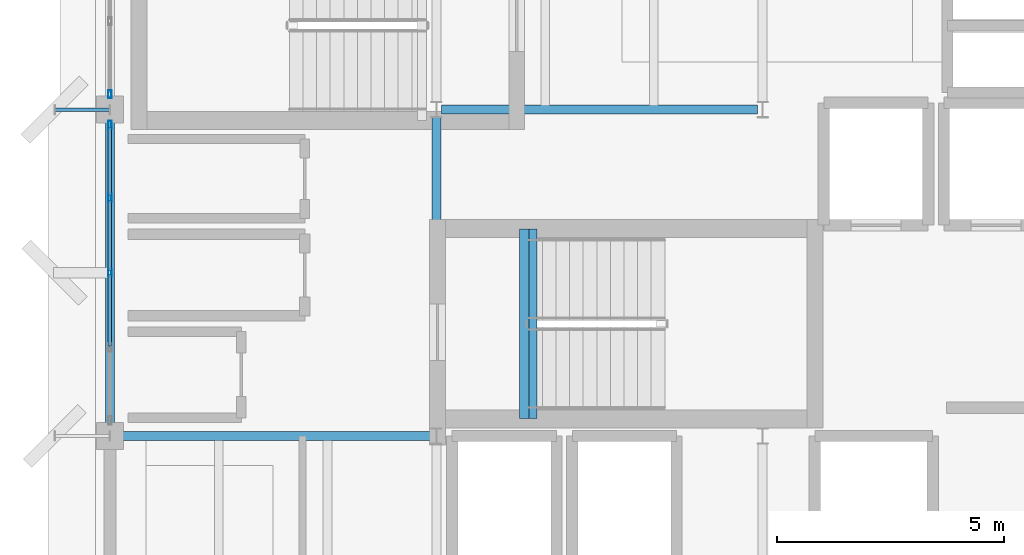
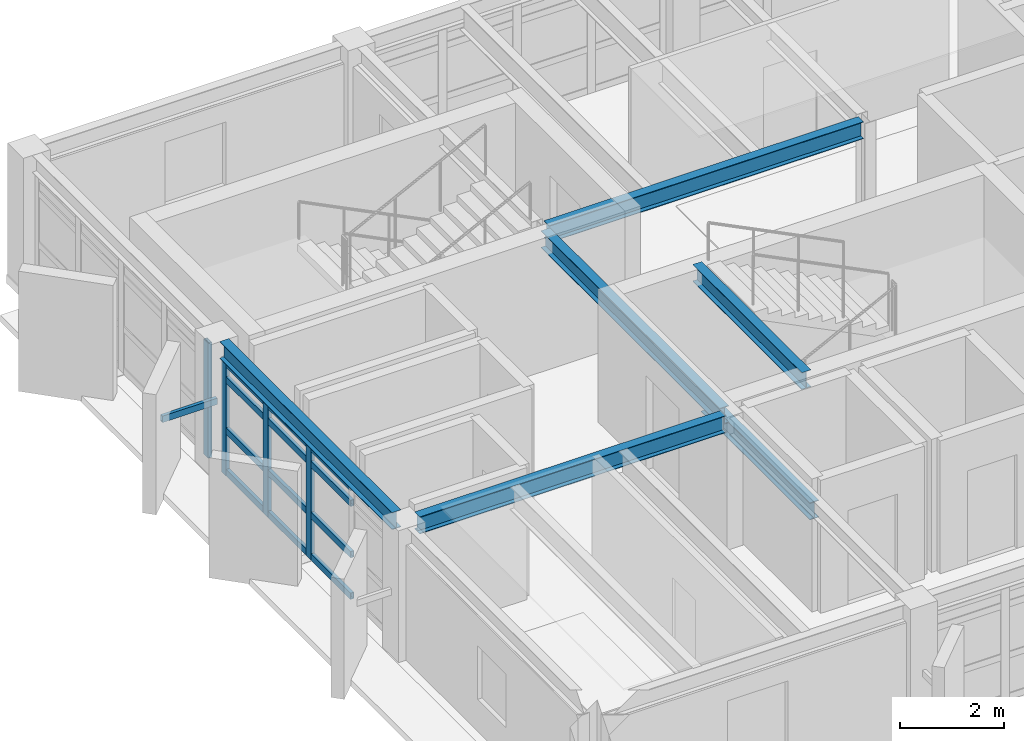
# One storey, part 4 of 15: 17 members, 6 beams, 2 elements without a shape of their own.
"""IFC4 building model written with IfcOpenShell, lengths in metres."""

from ifc_helpers import new_model, si_unit, direction, frame, origin, origin_2d, place, context, subcontext, project, spatial, hollow_rectangle, i_section, extrude, material, layer, layer_set, material_profile, profile_set, type_object, element, aggregate, save


model = new_model("IFC4")

# Units and contexts
model_context = context("Model", 3, precision=1e-05, world=origin(), true_north=direction((0.0, 1.0)))
body_context = subcontext(model_context, "Body", "Model", "MODEL_VIEW")
ifc_project = project(units=[si_unit("LENGTHUNIT", "METRE"), si_unit("AREAUNIT", "SQUARE_METRE"), si_unit("VOLUMEUNIT", "CUBIC_METRE"), si_unit("PLANEANGLEUNIT", "RADIAN"), si_unit("MASSUNIT", "GRAM", prefix="KILO")], contexts=[model_context])

# Site, building, storey
site_placement = place(None, origin())
site = spatial("IfcSite", under=ifc_project, at=site_placement, CompositionType="ELEMENT")
building_placement = place(site_placement, origin())
building = spatial("IfcBuilding", under=site, at=building_placement, Name="Kandorven Conservatory and Botanical Research Centre", CompositionType="ELEMENT")
storey_placement = place(building_placement, frame((0.0, 0.0, 56.10009765625)))
storey = spatial("IfcBuildingStorey", under=building, at=storey_placement, Name="L14", CompositionType="ELEMENT", Elevation=56.10009765625)

# Beams
ifc_material_1 = material(Name="Steel S355 (IS 2062 E350)", Category="steel")
ifc_material_profile_1 = material_profile(ifc_material_1, i_section(OverallWidth=0.199951171875, OverallDepth=0.39990234375, WebThickness=0.008544921875, FlangeThickness=0.012939453125, at=origin_2d()))
ifc_profile_set_1 = profile_set([ifc_material_profile_1], Name="Steel S355 (IS 2062 E350)")
beam_type = type_object("IfcBeamType", Name="Beam_FG-03", PredefinedType="USERDEFINED", material=ifc_profile_set_1)
beam_1_placement = place(storey_placement, frame((6.2900390625, 13.199951171875, 2.887939453125), z_axis=(1.0, 0.0, 0.0), x_axis=(0.0, 1.0, 0.0)))
element("IfcBeam", 1, at=beam_1_placement, inside=storey, type_object=beam_type, Name="Primary girder FG-03 TWR L14", ObjectType="GIRDER", PredefinedType="USERDEFINED", context=body_context, shape_type="SweptSolid", body=[
    extrude(i_section(OverallWidth=0.199951171875, OverallDepth=0.39990234375, WebThickness=0.008544921875, FlangeThickness=0.012939453125, at=origin_2d()), origin(), (0.0, 0.0, 1.0), 6.794921875),
])
beam_2_placement = place(storey_placement, frame((13.31494140625, 20.39990234375, 2.887939453125), z_axis=(1.0, 0.0, 0.0), x_axis=(0.0, 1.0, 0.0)))
element("IfcBeam", 2, at=beam_2_placement, inside=storey, type_object=beam_type, Name="Primary girder FG-03 TWR L14", ObjectType="GIRDER", PredefinedType="USERDEFINED", context=body_context, shape_type="SweptSolid", body=[
    extrude(i_section(OverallWidth=0.199951171875, OverallDepth=0.39990234375, WebThickness=0.008544921875, FlangeThickness=0.012939453125, at=origin_2d()), origin(), (0.0, 0.0, 1.0), 6.969970703125),
])
beam_3_placement = place(storey_placement, frame((6.0, 13.489990234375, 2.887939453125), z_axis=(0.0, 1.0, 0.0), x_axis=(-1.0, 0.0, 0.0)))
element("IfcBeam", 3, at=beam_3_placement, inside=storey, type_object=beam_type, Name="Primary girder FG-03 TWR L14", ObjectType="GIRDER", PredefinedType="USERDEFINED", context=body_context, shape_type="SweptSolid", body=[
    extrude(i_section(OverallWidth=0.199951171875, OverallDepth=0.39990234375, WebThickness=0.008544921875, FlangeThickness=0.012939453125, at=origin_2d()), origin(), (0.0, 0.0, 1.0), 6.6201171875),
])
beam_4_placement = place(storey_placement, frame((13.199951171875, 13.364990234375, 2.887939453125), z_axis=(0.0, 1.0, 0.0), x_axis=(-1.0, 0.0, 0.0)))
element("IfcBeam", 4, at=beam_4_placement, inside=storey, type_object=beam_type, Name="Primary girder FG-03 TWR L14", ObjectType="GIRDER", PredefinedType="USERDEFINED", context=body_context, shape_type="SweptSolid", body=[
    extrude(i_section(OverallWidth=0.199951171875, OverallDepth=0.39990234375, WebThickness=0.008544921875, FlangeThickness=0.012939453125, at=origin_2d()), origin(), (0.0, 0.0, 1.0), 6.8701171875),
])
for number, where, z_axis, x_axis, name in (
    (5, (15.320068359375, 13.580078125, -0.2001953125), (0.0, 1.0, 0.0), (-1.0, 0.0, 0.0), "Stair well bottom trimmer girder FG-03 ST-T1 L14"),
    (6, (15.139892578125, 13.580078125, 2.914794921875), (0.0, 1.0, 0.0), (-1.0, 0.0, 0.0), "Stair well top header girder FG-03 ST-T1 L14"),
):
    element("IfcBeam", number, at=place(storey_placement, frame(where, z_axis=z_axis, x_axis=x_axis)), inside=storey, type_object=beam_type, Name=name, ObjectType="GIRDER", PredefinedType="USERDEFINED", context=body_context, shape_type="SweptSolid", body=[
        extrude(i_section(OverallWidth=0.199951171875, OverallDepth=0.39990234375, WebThickness=0.008544921875, FlangeThickness=0.012939453125, at=origin_2d()), origin(), (0.0, 0.0, 1.0), 4.18994140625),
    ])

# Curtain wall, members
ifc_material_2 = material(Name="Bronze anodised thermally broken aluminium", Category="aluminium")
ifc_layer = layer(ifc_material_2, 0.179931640625)
ifc_layer_set = layer_set([ifc_layer], Name="Bronze anodised thermally broken aluminium")
curtain_wall_type = type_object("IfcCurtainWallType", Name="CW_Unitised", PredefinedType="USERDEFINED", material=ifc_layer_set)
curtain_wall_1_placement = place(storey_placement, origin())
curtain_wall_1 = element("IfcCurtainWall", 7, at=curtain_wall_1_placement, inside=storey, type_object=curtain_wall_type, Name="Tower laboratory curtain wall CW-TWR-W-L14-2", ObjectType="UNITISED GLAZING", PredefinedType="USERDEFINED")
ifc_material_3 = material(Name="Bronze anodised thermally broken aluminium", Category="aluminium")
ifc_material_profile_2 = material_profile(ifc_material_3, hollow_rectangle(XDim=0.080078125, YDim=0.179931640625, WallThickness=0.006103515625, at=origin_2d()))
ifc_profile_set_2 = profile_set([ifc_material_profile_2], Name="Bronze anodised thermally broken aluminium")
member_type_1 = type_object("IfcMemberType", Name="CW_Mullion", PredefinedType="MULLION", material=ifc_profile_set_2)
member_1_placement = place(storey_placement, frame((6.0, 16.800048828125, 0.0), z_axis=(0.0, 0.0, 1.0), x_axis=(-1.0, 0.0, 0.0)))
member_1 = element("IfcMember", 8, at=member_1_placement, type_object=member_type_1, Name="CW-01 mullion 3", PredefinedType="MULLION", context=body_context, shape_type="SweptSolid", body=[
    extrude(hollow_rectangle(XDim=0.080078125, YDim=0.179931640625, WallThickness=0.006103515625, at=origin_2d()), origin(), (0.0, 0.0, 1.0), 2.69482421875),
])
member_2_placement = place(storey_placement, frame((6.0, 18.449951171875, 0.0), z_axis=(0.0, 0.0, 1.0), x_axis=(-1.0, 0.0, 0.0)))
member_2 = element("IfcMember", 9, at=member_2_placement, type_object=member_type_1, Name="CW-01 mullion 4", PredefinedType="MULLION", context=body_context, shape_type="SweptSolid", body=[
    extrude(hollow_rectangle(XDim=0.080078125, YDim=0.179931640625, WallThickness=0.006103515625, at=origin_2d()), origin(), (0.0, 0.0, 1.0), 2.69482421875),
])
member_3_placement = place(storey_placement, frame((6.0, 20.06005859375, 0.0), z_axis=(0.0, 0.0, 1.0), x_axis=(-1.0, 0.0, 0.0)))
member_3 = element("IfcMember", 10, at=member_3_placement, type_object=member_type_1, Name="CW-01 mullion 5", PredefinedType="MULLION", context=body_context, shape_type="SweptSolid", body=[
    extrude(hollow_rectangle(XDim=0.080078125, YDim=0.179931640625, WallThickness=0.006103515625, at=origin_2d()), origin(), (0.0, 0.0, 1.0), 2.69482421875),
])

# Curtain wall, member
curtain_wall_2_placement = place(storey_placement, origin())
curtain_wall_2 = element("IfcCurtainWall", 11, at=curtain_wall_2_placement, inside=storey, type_object=curtain_wall_type, Name="Tower laboratory curtain wall CW-TWR-W-L14-3", ObjectType="UNITISED GLAZING", PredefinedType="USERDEFINED")
member_4_placement = place(storey_placement, frame((6.0, 20.739990234375, 0.0), z_axis=(0.0, 0.0, 1.0), x_axis=(-1.0, 0.0, 0.0)))
member_4 = element("IfcMember", 12, at=member_4_placement, type_object=member_type_1, Name="CW-01 mullion 1", PredefinedType="MULLION", context=body_context, shape_type="SweptSolid", body=[
    extrude(hollow_rectangle(XDim=0.080078125, YDim=0.179931640625, WallThickness=0.006103515625, at=origin_2d()), origin(), (0.0, 0.0, 1.0), 2.69482421875),
])
aggregate(curtain_wall_2, [member_4])

# Member
ifc_material_4 = material(Name="Bronze anodised thermally broken aluminium", Category="aluminium")
ifc_material_profile_3 = material_profile(ifc_material_4, hollow_rectangle(XDim=0.074951171875, YDim=0.14990234375, WallThickness=0.006103515625, at=origin_2d()))
ifc_profile_set_3 = profile_set([ifc_material_profile_3], Name="Bronze anodised thermally broken aluminium")
member_type_2 = type_object("IfcMemberType", Name="CW_Transom", PredefinedType="USERDEFINED", material=ifc_profile_set_3)
member_5_placement = place(storey_placement, frame((6.0, 15.18994140625, 0.074951171875), z_axis=(0.0, 1.0, 0.0), x_axis=(-1.0, 0.0, 0.0)))
member_5 = element("IfcMember", 13, at=member_5_placement, type_object=member_type_2, Name="CW-01 transom 2.1", ObjectType="TRANSOM", PredefinedType="USERDEFINED", context=body_context, shape_type="SweptSolid", body=[
    extrude(hollow_rectangle(XDim=0.074951171875, YDim=0.14990234375, WallThickness=0.006103515625, at=origin_2d()), origin(), (0.0, 0.0, 1.0), 1.570068359375),
])

member_6_placement = place(storey_placement, frame((6.0, 15.18994140625, 1.0498046875), z_axis=(0.0, 1.0, 0.0), x_axis=(-1.0, 0.0, 0.0)))
member_6 = element("IfcMember", 14, at=member_6_placement, type_object=member_type_2, Name="CW-01 transom 2.2", ObjectType="TRANSOM", PredefinedType="USERDEFINED", context=body_context, shape_type="SweptSolid", body=[
    extrude(hollow_rectangle(XDim=0.074951171875, YDim=0.14990234375, WallThickness=0.006103515625, at=origin_2d()), origin(), (0.0, 0.0, 1.0), 1.570068359375),
])

member_7_placement = place(storey_placement, frame((6.0, 15.18994140625, 2.25), z_axis=(0.0, 1.0, 0.0), x_axis=(-1.0, 0.0, 0.0)))
member_7 = element("IfcMember", 15, at=member_7_placement, type_object=member_type_2, Name="CW-01 transom 2.3", ObjectType="TRANSOM", PredefinedType="USERDEFINED", context=body_context, shape_type="SweptSolid", body=[
    extrude(hollow_rectangle(XDim=0.074951171875, YDim=0.14990234375, WallThickness=0.006103515625, at=origin_2d()), origin(), (0.0, 0.0, 1.0), 1.570068359375),
])

member_8_placement = place(storey_placement, frame((6.0, 15.18994140625, 2.619873046875), z_axis=(0.0, 1.0, 0.0), x_axis=(-1.0, 0.0, 0.0)))
member_8 = element("IfcMember", 16, at=member_8_placement, type_object=member_type_2, Name="CW-01 transom 2.4", ObjectType="TRANSOM", PredefinedType="USERDEFINED", context=body_context, shape_type="SweptSolid", body=[
    extrude(hollow_rectangle(XDim=0.074951171875, YDim=0.14990234375, WallThickness=0.006103515625, at=origin_2d()), origin(), (0.0, 0.0, 1.0), 1.570068359375),
])

member_9_placement = place(storey_placement, frame((6.0, 16.840087890625, 0.074951171875), z_axis=(0.0, 1.0, 0.0), x_axis=(-1.0, 0.0, 0.0)))
member_9 = element("IfcMember", 17, at=member_9_placement, type_object=member_type_2, Name="CW-01 transom 3.1", ObjectType="TRANSOM", PredefinedType="USERDEFINED", context=body_context, shape_type="SweptSolid", body=[
    extrude(hollow_rectangle(XDim=0.074951171875, YDim=0.14990234375, WallThickness=0.006103515625, at=origin_2d()), origin(), (0.0, 0.0, 1.0), 1.56982421875),
])

member_10_placement = place(storey_placement, frame((6.0, 16.840087890625, 1.0498046875), z_axis=(0.0, 1.0, 0.0), x_axis=(-1.0, 0.0, 0.0)))
member_10 = element("IfcMember", 18, at=member_10_placement, type_object=member_type_2, Name="CW-01 transom 3.2", ObjectType="TRANSOM", PredefinedType="USERDEFINED", context=body_context, shape_type="SweptSolid", body=[
    extrude(hollow_rectangle(XDim=0.074951171875, YDim=0.14990234375, WallThickness=0.006103515625, at=origin_2d()), origin(), (0.0, 0.0, 1.0), 1.56982421875),
])

member_11_placement = place(storey_placement, frame((6.0, 16.840087890625, 2.25), z_axis=(0.0, 1.0, 0.0), x_axis=(-1.0, 0.0, 0.0)))
member_11 = element("IfcMember", 19, at=member_11_placement, type_object=member_type_2, Name="CW-01 transom 3.3", ObjectType="TRANSOM", PredefinedType="USERDEFINED", context=body_context, shape_type="SweptSolid", body=[
    extrude(hollow_rectangle(XDim=0.074951171875, YDim=0.14990234375, WallThickness=0.006103515625, at=origin_2d()), origin(), (0.0, 0.0, 1.0), 1.56982421875),
])

member_12_placement = place(storey_placement, frame((6.0, 16.840087890625, 2.619873046875), z_axis=(0.0, 1.0, 0.0), x_axis=(-1.0, 0.0, 0.0)))
member_12 = element("IfcMember", 20, at=member_12_placement, type_object=member_type_2, Name="CW-01 transom 3.4", ObjectType="TRANSOM", PredefinedType="USERDEFINED", context=body_context, shape_type="SweptSolid", body=[
    extrude(hollow_rectangle(XDim=0.074951171875, YDim=0.14990234375, WallThickness=0.006103515625, at=origin_2d()), origin(), (0.0, 0.0, 1.0), 1.56982421875),
])

member_13_placement = place(storey_placement, frame((6.0, 18.489990234375, 0.074951171875), z_axis=(0.0, 1.0, 0.0), x_axis=(-1.0, 0.0, 0.0)))
member_13 = element("IfcMember", 21, at=member_13_placement, type_object=member_type_2, Name="CW-01 transom 4.1", ObjectType="TRANSOM", PredefinedType="USERDEFINED", context=body_context, shape_type="SweptSolid", body=[
    extrude(hollow_rectangle(XDim=0.074951171875, YDim=0.14990234375, WallThickness=0.006103515625, at=origin_2d()), origin(), (0.0, 0.0, 1.0), 1.530029296875),
])

member_14_placement = place(storey_placement, frame((6.0, 18.489990234375, 1.0498046875), z_axis=(0.0, 1.0, 0.0), x_axis=(-1.0, 0.0, 0.0)))
member_14 = element("IfcMember", 22, at=member_14_placement, type_object=member_type_2, Name="CW-01 transom 4.2", ObjectType="TRANSOM", PredefinedType="USERDEFINED", context=body_context, shape_type="SweptSolid", body=[
    extrude(hollow_rectangle(XDim=0.074951171875, YDim=0.14990234375, WallThickness=0.006103515625, at=origin_2d()), origin(), (0.0, 0.0, 1.0), 1.530029296875),
])

member_15_placement = place(storey_placement, frame((6.0, 18.489990234375, 2.25), z_axis=(0.0, 1.0, 0.0), x_axis=(-1.0, 0.0, 0.0)))
member_15 = element("IfcMember", 23, at=member_15_placement, type_object=member_type_2, Name="CW-01 transom 4.3", ObjectType="TRANSOM", PredefinedType="USERDEFINED", context=body_context, shape_type="SweptSolid", body=[
    extrude(hollow_rectangle(XDim=0.074951171875, YDim=0.14990234375, WallThickness=0.006103515625, at=origin_2d()), origin(), (0.0, 0.0, 1.0), 1.530029296875),
])

member_16_placement = place(storey_placement, frame((6.0, 18.489990234375, 2.619873046875), z_axis=(0.0, 1.0, 0.0), x_axis=(-1.0, 0.0, 0.0)))
member_16 = element("IfcMember", 24, at=member_16_placement, type_object=member_type_2, Name="CW-01 transom 4.4", ObjectType="TRANSOM", PredefinedType="USERDEFINED", context=body_context, shape_type="SweptSolid", body=[
    extrude(hollow_rectangle(XDim=0.074951171875, YDim=0.14990234375, WallThickness=0.006103515625, at=origin_2d()), origin(), (0.0, 0.0, 1.0), 1.530029296875),
])

aggregate(curtain_wall_1, [member_1, member_2, member_3, member_5, member_6, member_7, member_8, member_9, member_10, member_11, member_12, member_13, member_14, member_15, member_16])

ifc_material_5 = material(Name="Steel S355 (IS 2062 E350)", Category="steel")
ifc_material_profile_4 = material_profile(ifc_material_5, hollow_rectangle(XDim=0.074951171875, YDim=0.14990234375, WallThickness=0.006103515625, at=origin_2d()))
ifc_profile_set_4 = profile_set([ifc_material_profile_4], Name="Steel S355 (IS 2062 E350)")
member_type_3 = type_object("IfcMemberType", Name="Mem_SF-01", PredefinedType="STRUT", material=ifc_profile_set_4)
member_17_placement = place(storey_placement, frame((6.0, 20.39990234375, 1.5), z_axis=(-1.0, 0.0, 0.0), x_axis=(0.0, -1.0, 0.0)))
element("IfcMember", 25, at=member_17_placement, inside=storey, type_object=member_type_3, Name="Solar fin steel outrigger strut SF-01 #127", PredefinedType="STRUT", context=body_context, shape_type="SweptSolid", body=[
    extrude(hollow_rectangle(XDim=0.074951171875, YDim=0.14990234375, WallThickness=0.006103515625, at=origin_2d()), origin(), (0.0, 0.0, 1.0), 1.219970703125),
])

save(model, "model.ifc")
